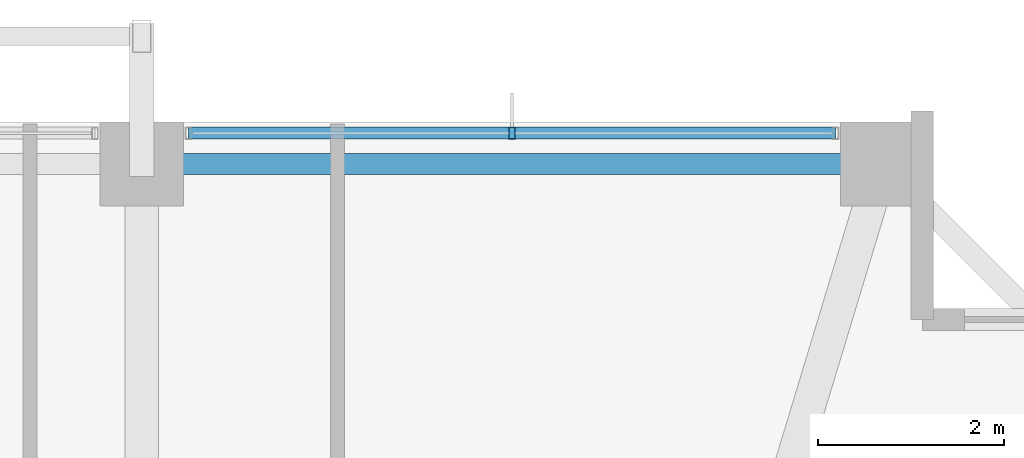
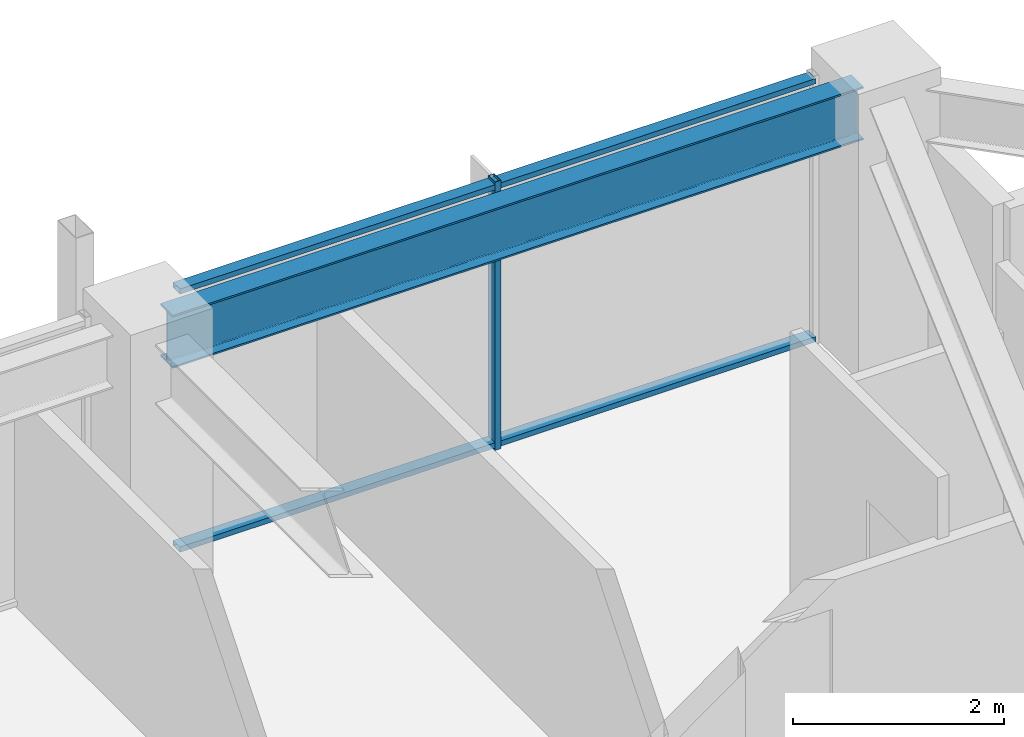
# One storey, part 22 of 37: 3 members, 1 beam, 1 element without a shape of its own.
"""IFC4 building model written with IfcOpenShell, lengths in metres."""

from ifc_helpers import new_model, si_unit, direction, frame, origin, origin_2d, place, context, subcontext, project, spatial, hollow_rectangle, i_section, extrude, material, material_profile, profile_set, type_object, element, aggregate, save


model = new_model("IFC4")

# Units and contexts
model_context = context("Model", 3, precision=1e-05, world=origin(), true_north=direction((0.0, 1.0)))
body_context = subcontext(model_context, "Body", "Model", "MODEL_VIEW")
ifc_project = project(units=[si_unit("LENGTHUNIT", "METRE"), si_unit("AREAUNIT", "SQUARE_METRE"), si_unit("VOLUMEUNIT", "CUBIC_METRE"), si_unit("PLANEANGLEUNIT", "RADIAN"), si_unit("MASSUNIT", "GRAM", prefix="KILO")], contexts=[model_context])

# Site, building, storey
site_placement = place(None, origin())
site = spatial("IfcSite", under=ifc_project, at=site_placement, CompositionType="ELEMENT")
building_placement = place(site_placement, origin())
building = spatial("IfcBuilding", under=site, at=building_placement, Name="Kolvaren Belvedere", CompositionType="ELEMENT")
storey_placement = place(building_placement, frame((0.0, 0.0, 156.89990234375)))
storey = spatial("IfcBuildingStorey", under=building, at=storey_placement, Name="L45", CompositionType="ELEMENT", Elevation=156.89990234375)

# Beam
ifc_material_1 = material(Name="Structural steel ASTM A992 Grade 50", Category="steel")
ifc_material_profile_1 = material_profile(ifc_material_1, i_section(OverallWidth=0.22900390625, OverallDepth=0.612060546875, WebThickness=0.011962890625, FlangeThickness=0.01953125, FilletRadius=0.01806640625, at=origin_2d()), Name="W24X84")
ifc_profile_set_1 = profile_set([ifc_material_profile_1], Name="Structural steel ASTM A992 Grade 50")
beam_type = type_object("IfcBeamType", Name="BM-SPAN-W24X84", PredefinedType="SPANDREL", material=ifc_profile_set_1)
beam_placement = place(storey_placement, frame((12.347412109375, 18.64990234375, 2.794189453125), z_axis=(-1.0, 0.0, 0.0), x_axis=(0.0, -1.0, 0.0)))
element("IfcBeam", 1, at=beam_placement, inside=storey, type_object=beam_type, Name="L45 Perimeter Spandrel N4-N3", PredefinedType="SPANDREL", context=body_context, shape_type="SweptSolid", body=[
    extrude(i_section(OverallWidth=0.22900390625, OverallDepth=0.612060546875, WebThickness=0.011962890625, FlangeThickness=0.01953125, FilletRadius=0.01806640625, at=origin_2d()), origin(), (0.0, 0.0, 1.0), 7.544921875),
])

# Curtain wall, members
ifc_material_2 = material(Name="Anodised pale-metal aluminium AA 6063-T6", Category="aluminium")
curtain_wall_type = type_object("IfcCurtainWallType", Name="CW-Z3-WAIST", PredefinedType="NOTDEFINED", material=ifc_material_2)
curtain_wall_placement = place(storey_placement, origin())
curtain_wall = element("IfcCurtainWall", 2, at=curtain_wall_placement, inside=storey, type_object=curtain_wall_type, Name="L45 Unitised Curtain Wall FCW-L45-N-B3", PredefinedType="NOTDEFINED")
ifc_material_3 = material(Name="Anodised pale-metal aluminium AA 6063-T6", Category="aluminium")
ifc_material_profile_2 = material_profile(ifc_material_3, hollow_rectangle(XDim=0.06494140625, YDim=0.1298828125, WallThickness=0.00390625, at=origin_2d()), Name="ALU-MUL-130X65")
ifc_profile_set_2 = profile_set([ifc_material_profile_2], Name="Anodised pale-metal aluminium AA 6063-T6")
member_type_1 = type_object("IfcMemberType", Name="CW-MUL-130", PredefinedType="MULLION", material=ifc_profile_set_2)
member_1_placement = place(storey_placement, frame((8.574951171875, 18.97998046875, 0.0), z_axis=(0.0, 0.0, 1.0), x_axis=(1.0, 0.0, 0.0)))
member_1 = element("IfcMember", 3, at=member_1_placement, type_object=member_type_1, Name="FCW-L45-N-B3 Unitised Mullion 2", PredefinedType="MULLION", context=body_context, shape_type="SweptSolid", body=[
    extrude(hollow_rectangle(XDim=0.06494140625, YDim=0.1298828125, WallThickness=0.00390625, at=origin_2d()), origin(), (0.0, 0.0, 1.0), 3.10009765625),
])
ifc_material_4 = material(Name="Anodised pale-metal aluminium AA 6063-T6", Category="aluminium")
ifc_material_profile_3 = material_profile(ifc_material_4, hollow_rectangle(XDim=0.06005859375, YDim=0.1298828125, WallThickness=0.00390625, at=origin_2d()), Name="ALU-TRN-130X60")
ifc_profile_set_3 = profile_set([ifc_material_profile_3], Name="Anodised pale-metal aluminium AA 6063-T6")
member_type_2 = type_object("IfcMemberType", Name="CW-TRN-130", PredefinedType="USERDEFINED", material=ifc_profile_set_3)
member_2_placement = place(storey_placement, frame((5.1025390625, 18.97998046875, 0.06005859375), z_axis=(1.0, 0.0, 0.0), x_axis=(0.0, 0.0, 1.0)))
member_2 = element("IfcMember", 4, at=member_2_placement, type_object=member_type_2, Name="FCW-L45-N-B3 Sill Transom", ObjectType="TRANSOM", PredefinedType="USERDEFINED", context=body_context, shape_type="SweptSolid", body=[
    extrude(hollow_rectangle(XDim=0.06005859375, YDim=0.1298828125, WallThickness=0.00390625, at=origin_2d()), origin(), (0.0, 0.0, 1.0), 6.945068359375),
])
member_3_placement = place(storey_placement, frame((5.1025390625, 18.97998046875, 3.0400390625), z_axis=(1.0, 0.0, 0.0), x_axis=(0.0, 0.0, 1.0)))
member_3 = element("IfcMember", 5, at=member_3_placement, type_object=member_type_2, Name="FCW-L45-N-B3 Head Transom", ObjectType="TRANSOM", PredefinedType="USERDEFINED", context=body_context, shape_type="SweptSolid", body=[
    extrude(hollow_rectangle(XDim=0.06005859375, YDim=0.1298828125, WallThickness=0.00390625, at=origin_2d()), origin(), (0.0, 0.0, 1.0), 6.945068359375),
])
aggregate(curtain_wall, [member_1, member_2, member_3])

save(model, "model.ifc")
